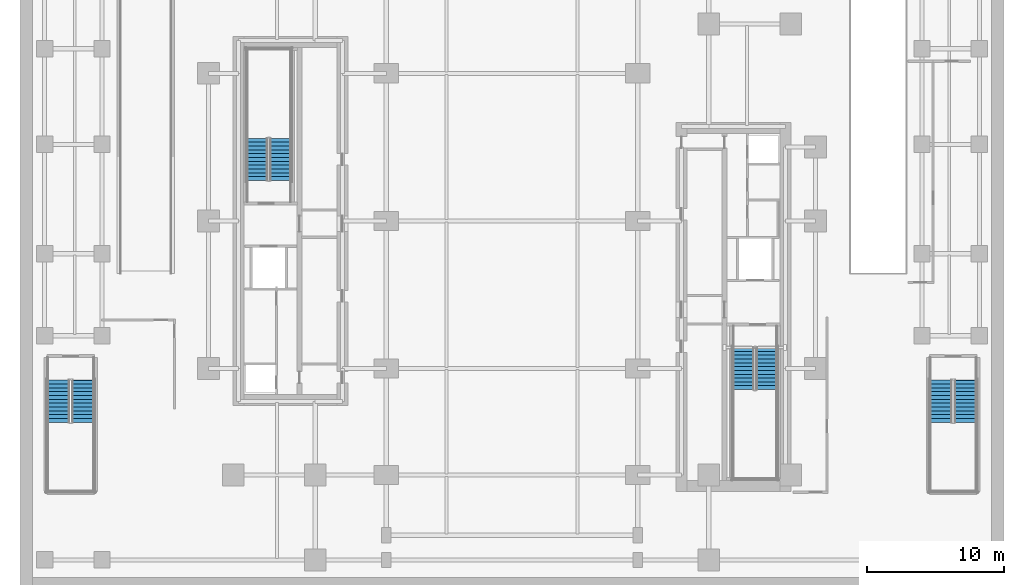
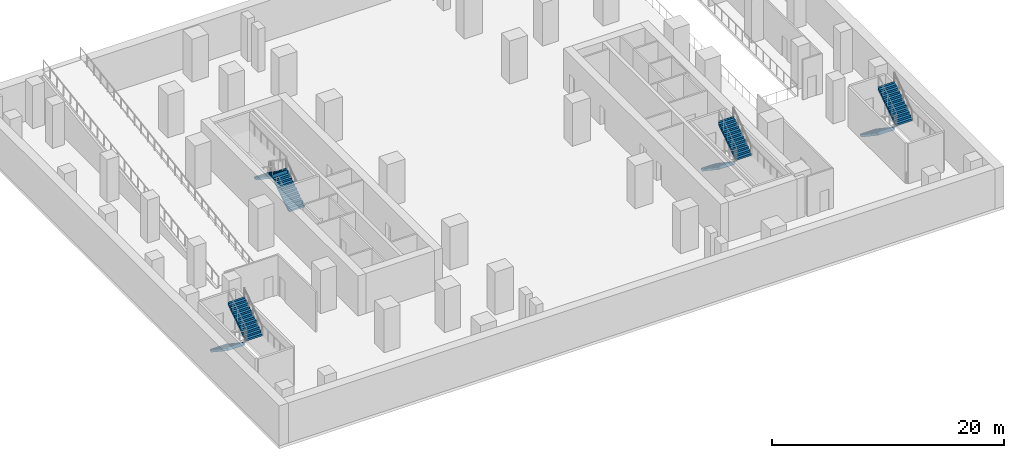
# One storey, part 9 of 14: 8 stair flights, 4 elements without a shape of their own.
"""IFC4 building model written with IfcOpenShell, lengths in metres."""

from ifc_helpers import new_model, si_unit, direction, frame, origin, place, context, subcontext, project, spatial, polyline, outline, extrude, material, layer, layer_set, type_object, element, aggregate, save


model = new_model("IFC4")

# Units and contexts
model_context = context("Model", 3, precision=1e-05, world=origin(), true_north=direction((0.0, 1.0)))
body_context = subcontext(model_context, "Body", "Model", "MODEL_VIEW")
ifc_project = project(units=[si_unit("LENGTHUNIT", "METRE"), si_unit("AREAUNIT", "SQUARE_METRE"), si_unit("VOLUMEUNIT", "CUBIC_METRE"), si_unit("PLANEANGLEUNIT", "RADIAN"), si_unit("MASSUNIT", "GRAM", prefix="KILO")], contexts=[model_context])

# Site, building, storey
site_placement = place(None, origin())
site = spatial("IfcSite", under=ifc_project, at=site_placement, CompositionType="ELEMENT")
building_placement = place(site_placement, origin())
building = spatial("IfcBuilding", under=site, at=building_placement, Name="Khairoan Windgate Tower", CompositionType="ELEMENT")
storey_placement = place(building_placement, frame((0.0, 0.0, -4.5)))
storey = spatial("IfcBuildingStorey", under=building, at=storey_placement, Name="B1", CompositionType="ELEMENT", Elevation=-4.5)

# Stair, stair flights
ifc_material_1 = material(Name="Concrete C40/50", Category="concrete")
stair_type_1 = type_object("IfcStairType", Name="Podium Exit Dog-Leg Stair ST-T2 1660mm", PredefinedType="HALF_TURN_STAIR", material=ifc_material_1)
stair_1_placement = place(storey_placement, origin())
stair_1 = element("IfcStair", 1, at=stair_1_placement, inside=storey, type_object=stair_type_1, Name="B1 Stair ST3", PredefinedType="HALF_TURN_STAIR")
ifc_material_2 = material(Name="Concrete C40/50", Category="concrete")
ifc_layer_1 = layer(ifc_material_2, 0.14990234375, Name="Concrete C40/50")
ifc_layer_set_1 = layer_set([ifc_layer_1], Name="Concrete C40/50")
stair_flight_type_1 = type_object("IfcStairFlightType", Name="Podium Stair Flight STF-1660", PredefinedType="STRAIGHT", material=ifc_layer_set_1)
stair_flight_1_placement = place(storey_placement, frame((31.3798828125, -11.659912109375, 0.0), z_axis=(0.0, 0.0, 1.0), x_axis=(0.0, -1.0, 0.0)))
stair_flight_1 = element("IfcStairFlight", 2, at=stair_flight_1_placement, type_object=stair_flight_type_1, Name="ST3 flight 1", NumberOfRisers=12, NumberOfTreads=11, PredefinedType="STRAIGHT", RiserHeight=0.1875, TreadLength=0.28, context=body_context, shape_type="SweptSolid", body=[
    extrude(outline(polyline([(-0.00390625, 0.0), (-0.00390625, 0.1875), (0.0, 0.1875), (0.280029296875, 0.1875), (0.280029296875, 0.375), (0.56005859375, 0.375), (0.56005859375, 0.5625), (0.840087890625, 0.5625), (0.840087890625, 0.75), (1.1201171875, 0.75), (1.1201171875, 0.9375), (1.39990234375, 0.9375), (1.39990234375, 1.125), (1.679931640625, 1.125), (1.679931640625, 1.3125), (1.9599609375, 1.3125), (1.9599609375, 1.5), (2.239990234375, 1.5), (2.239990234375, 1.6875), (2.52001953125, 1.6875), (2.52001953125, 1.875), (2.800048828125, 1.875), (2.800048828125, 2.0625), (3.080078125, 2.0625), (3.080078125, 2.25), (3.083984375, 2.25), (3.083984375, 1.882080078125), (0.26953125, 0.0), (-0.00390625, 0.0)])), frame((0.0, 0.830078125, 0.0), z_axis=(0.0, -1.0, 0.0), x_axis=(1.0, 0.0, 0.0)), (0.0, 0.0, 1.0), 1.659912109375),
])
stair_flight_2_placement = place(storey_placement, frame((33.18994140625, -14.739990234375, 2.25), z_axis=(0.0, 0.0, 1.0), x_axis=(0.0, 1.0, 0.0)))
stair_flight_2 = element("IfcStairFlight", 3, at=stair_flight_2_placement, type_object=stair_flight_type_1, Name="ST3 flight 2", NumberOfRisers=12, NumberOfTreads=11, PredefinedType="STRAIGHT", RiserHeight=0.1875, TreadLength=0.28, context=body_context, shape_type="SweptSolid", body=[
    extrude(outline(polyline([(-0.00390625, 0.0), (-0.00390625, 0.1875), (0.0, 0.1875), (0.280029296875, 0.1875), (0.280029296875, 0.375), (0.56005859375, 0.375), (0.56005859375, 0.5625), (0.840087890625, 0.5625), (0.840087890625, 0.75), (1.1201171875, 0.75), (1.1201171875, 0.9375), (1.39990234375, 0.9375), (1.39990234375, 1.125), (1.679931640625, 1.125), (1.679931640625, 1.3125), (1.9599609375, 1.3125), (1.9599609375, 1.5), (2.239990234375, 1.5), (2.239990234375, 1.6875), (2.52001953125, 1.6875), (2.52001953125, 1.875), (2.800048828125, 1.875), (2.800048828125, 2.0625), (3.080078125, 2.0625), (3.080078125, 2.25), (3.083984375, 2.25), (3.083984375, 1.882080078125), (0.26953125, 0.0), (-0.00390625, 0.0)])), frame((0.0, 0.830078125, 0.0), z_axis=(0.0, -1.0, 0.0), x_axis=(1.0, 0.0, 0.0)), (0.0, 0.0, 1.0), 1.659912109375),
])
aggregate(stair_1, [stair_flight_1, stair_flight_2])

stair_2_placement = place(storey_placement, origin())
stair_2 = element("IfcStair", 4, at=stair_2_placement, inside=storey, type_object=stair_type_1, Name="B1 Stair ST4", PredefinedType="HALF_TURN_STAIR")
stair_flight_3_placement = place(storey_placement, frame((-33.18994140625, -11.659912109375, 0.0), z_axis=(0.0, 0.0, 1.0), x_axis=(0.0, -1.0, 0.0)))
stair_flight_3 = element("IfcStairFlight", 5, at=stair_flight_3_placement, type_object=stair_flight_type_1, Name="ST4 flight 1", NumberOfRisers=12, NumberOfTreads=11, PredefinedType="STRAIGHT", RiserHeight=0.1875, TreadLength=0.28, context=body_context, shape_type="SweptSolid", body=[
    extrude(outline(polyline([(-0.00390625, 0.0), (-0.00390625, 0.1875), (0.0, 0.1875), (0.280029296875, 0.1875), (0.280029296875, 0.375), (0.56005859375, 0.375), (0.56005859375, 0.5625), (0.840087890625, 0.5625), (0.840087890625, 0.75), (1.1201171875, 0.75), (1.1201171875, 0.9375), (1.39990234375, 0.9375), (1.39990234375, 1.125), (1.679931640625, 1.125), (1.679931640625, 1.3125), (1.9599609375, 1.3125), (1.9599609375, 1.5), (2.239990234375, 1.5), (2.239990234375, 1.6875), (2.52001953125, 1.6875), (2.52001953125, 1.875), (2.800048828125, 1.875), (2.800048828125, 2.0625), (3.080078125, 2.0625), (3.080078125, 2.25), (3.083984375, 2.25), (3.083984375, 1.882080078125), (0.26953125, 0.0), (-0.00390625, 0.0)])), frame((0.0, 0.830078125, 0.0), z_axis=(0.0, -1.0, 0.0), x_axis=(1.0, 0.0, 0.0)), (0.0, 0.0, 1.0), 1.659912109375),
])
stair_flight_4_placement = place(storey_placement, frame((-31.3798828125, -14.739990234375, 2.25), z_axis=(0.0, 0.0, 1.0), x_axis=(0.0, 1.0, 0.0)))
stair_flight_4 = element("IfcStairFlight", 6, at=stair_flight_4_placement, type_object=stair_flight_type_1, Name="ST4 flight 2", NumberOfRisers=12, NumberOfTreads=11, PredefinedType="STRAIGHT", RiserHeight=0.1875, TreadLength=0.28, context=body_context, shape_type="SweptSolid", body=[
    extrude(outline(polyline([(-0.00390625, 0.0), (-0.00390625, 0.1875), (0.0, 0.1875), (0.280029296875, 0.1875), (0.280029296875, 0.375), (0.56005859375, 0.375), (0.56005859375, 0.5625), (0.840087890625, 0.5625), (0.840087890625, 0.75), (1.1201171875, 0.75), (1.1201171875, 0.9375), (1.39990234375, 0.9375), (1.39990234375, 1.125), (1.679931640625, 1.125), (1.679931640625, 1.3125), (1.9599609375, 1.3125), (1.9599609375, 1.5), (2.239990234375, 1.5), (2.239990234375, 1.6875), (2.52001953125, 1.6875), (2.52001953125, 1.875), (2.800048828125, 1.875), (2.800048828125, 2.0625), (3.080078125, 2.0625), (3.080078125, 2.25), (3.083984375, 2.25), (3.083984375, 1.882080078125), (0.26953125, 0.0), (-0.00390625, 0.0)])), frame((0.0, 0.830078125, 0.0), z_axis=(0.0, -1.0, 0.0), x_axis=(1.0, 0.0, 0.0)), (0.0, 0.0, 1.0), 1.659912109375),
])
aggregate(stair_2, [stair_flight_3, stair_flight_4])

ifc_material_3 = material(Name="Concrete C40/50", Category="concrete")
stair_type_2 = type_object("IfcStairType", Name="Tower Core Dog-Leg Stair ST-T1 1560mm", PredefinedType="HALF_TURN_STAIR", material=ifc_material_3)
stair_3_placement = place(storey_placement, origin())
stair_3 = element("IfcStair", 7, at=stair_3_placement, inside=storey, type_object=stair_type_2, Name="B1 Stair ST1", PredefinedType="HALF_TURN_STAIR")
ifc_material_4 = material(Name="Concrete C40/50", Category="concrete")
ifc_layer_2 = layer(ifc_material_4, 0.14990234375, Name="Concrete C40/50")
ifc_layer_set_2 = layer_set([ifc_layer_2], Name="Concrete C40/50")
stair_flight_type_2 = type_object("IfcStairFlightType", Name="Tower Core Stair Flight STF-1560", PredefinedType="STRAIGHT", material=ifc_layer_set_2)
stair_flight_5_placement = place(storey_placement, frame((16.929931640625, -9.260009765625, 0.0), z_axis=(0.0, 0.0, 1.0), x_axis=(0.0, -1.0, 0.0)))
stair_flight_5 = element("IfcStairFlight", 8, at=stair_flight_5_placement, type_object=stair_flight_type_2, Name="ST1 flight 1", NumberOfRisers=12, NumberOfTreads=11, PredefinedType="STRAIGHT", RiserHeight=0.1875, TreadLength=0.28, context=body_context, shape_type="SweptSolid", body=[
    extrude(outline(polyline([(-0.00390625, 0.0), (-0.00390625, 0.1875), (0.0, 0.1875), (0.280029296875, 0.1875), (0.280029296875, 0.375), (0.56005859375, 0.375), (0.56005859375, 0.5625), (0.840087890625, 0.5625), (0.840087890625, 0.75), (1.1201171875, 0.75), (1.1201171875, 0.9375), (1.39990234375, 0.9375), (1.39990234375, 1.125), (1.679931640625, 1.125), (1.679931640625, 1.3125), (1.9599609375, 1.3125), (1.9599609375, 1.5), (2.239990234375, 1.5), (2.239990234375, 1.6875), (2.52001953125, 1.6875), (2.52001953125, 1.875), (2.800048828125, 1.875), (2.800048828125, 2.0625), (3.080078125, 2.0625), (3.080078125, 2.25), (3.083984375, 2.25), (3.083984375, 1.882080078125), (0.26953125, 0.0), (-0.00390625, 0.0)])), frame((0.0, 0.780029296875, 0.0), z_axis=(0.0, -1.0, 0.0), x_axis=(1.0, 0.0, 0.0)), (0.0, 0.0, 1.0), 1.56005859375),
])
stair_flight_6_placement = place(storey_placement, frame((18.639892578125, -12.340087890625, 2.25), z_axis=(0.0, 0.0, 1.0), x_axis=(0.0, 1.0, 0.0)))
stair_flight_6 = element("IfcStairFlight", 9, at=stair_flight_6_placement, type_object=stair_flight_type_2, Name="ST1 flight 2", NumberOfRisers=12, NumberOfTreads=11, PredefinedType="STRAIGHT", RiserHeight=0.1875, TreadLength=0.28, context=body_context, shape_type="SweptSolid", body=[
    extrude(outline(polyline([(-0.00390625, 0.0), (-0.00390625, 0.1875), (0.0, 0.1875), (0.280029296875, 0.1875), (0.280029296875, 0.375), (0.56005859375, 0.375), (0.56005859375, 0.5625), (0.840087890625, 0.5625), (0.840087890625, 0.75), (1.1201171875, 0.75), (1.1201171875, 0.9375), (1.39990234375, 0.9375), (1.39990234375, 1.125), (1.679931640625, 1.125), (1.679931640625, 1.3125), (1.9599609375, 1.3125), (1.9599609375, 1.5), (2.239990234375, 1.5), (2.239990234375, 1.6875), (2.52001953125, 1.6875), (2.52001953125, 1.875), (2.800048828125, 1.875), (2.800048828125, 2.0625), (3.080078125, 2.0625), (3.080078125, 2.25), (3.083984375, 2.25), (3.083984375, 1.882080078125), (0.26953125, 0.0), (-0.00390625, 0.0)])), frame((0.0, 0.780029296875, 0.0), z_axis=(0.0, -1.0, 0.0), x_axis=(1.0, 0.0, 0.0)), (0.0, 0.0, 1.0), 1.56005859375),
])
aggregate(stair_3, [stair_flight_5, stair_flight_6])

stair_4_placement = place(storey_placement, origin())
stair_4 = element("IfcStair", 10, at=stair_4_placement, inside=storey, type_object=stair_type_2, Name="B1 Stair ST2", PredefinedType="HALF_TURN_STAIR")
stair_flight_7_placement = place(storey_placement, frame((-16.929931640625, 2.9599609375, 0.0), z_axis=(0.0, 0.0, 1.0), x_axis=(0.0, 1.0, 0.0)))
stair_flight_7 = element("IfcStairFlight", 11, at=stair_flight_7_placement, type_object=stair_flight_type_2, Name="ST2 flight 1", NumberOfRisers=12, NumberOfTreads=11, PredefinedType="STRAIGHT", RiserHeight=0.1875, TreadLength=0.28, context=body_context, shape_type="SweptSolid", body=[
    extrude(outline(polyline([(-0.00390625, 0.0), (-0.00390625, 0.1875), (0.0, 0.1875), (0.280029296875, 0.1875), (0.280029296875, 0.375), (0.56005859375, 0.375), (0.56005859375, 0.5625), (0.840087890625, 0.5625), (0.840087890625, 0.75), (1.1201171875, 0.75), (1.1201171875, 0.9375), (1.39990234375, 0.9375), (1.39990234375, 1.125), (1.679931640625, 1.125), (1.679931640625, 1.3125), (1.9599609375, 1.3125), (1.9599609375, 1.5), (2.239990234375, 1.5), (2.239990234375, 1.6875), (2.52001953125, 1.6875), (2.52001953125, 1.875), (2.800048828125, 1.875), (2.800048828125, 2.0625), (3.080078125, 2.0625), (3.080078125, 2.25), (3.083984375, 2.25), (3.083984375, 1.882080078125), (0.26953125, 0.0), (-0.00390625, 0.0)])), frame((0.0, 0.780029296875, 0.0), z_axis=(0.0, -1.0, 0.0), x_axis=(1.0, 0.0, 0.0)), (0.0, 0.0, 1.0), 1.56005859375),
])
stair_flight_8_placement = place(storey_placement, frame((-18.639892578125, 6.0400390625, 2.25), z_axis=(0.0, 0.0, 1.0), x_axis=(0.0, -1.0, 0.0)))
stair_flight_8 = element("IfcStairFlight", 12, at=stair_flight_8_placement, type_object=stair_flight_type_2, Name="ST2 flight 2", NumberOfRisers=12, NumberOfTreads=11, PredefinedType="STRAIGHT", RiserHeight=0.1875, TreadLength=0.28, context=body_context, shape_type="SweptSolid", body=[
    extrude(outline(polyline([(-0.00390625, 0.0), (-0.00390625, 0.1875), (0.0, 0.1875), (0.280029296875, 0.1875), (0.280029296875, 0.375), (0.56005859375, 0.375), (0.56005859375, 0.5625), (0.840087890625, 0.5625), (0.840087890625, 0.75), (1.1201171875, 0.75), (1.1201171875, 0.9375), (1.39990234375, 0.9375), (1.39990234375, 1.125), (1.679931640625, 1.125), (1.679931640625, 1.3125), (1.9599609375, 1.3125), (1.9599609375, 1.5), (2.239990234375, 1.5), (2.239990234375, 1.6875), (2.52001953125, 1.6875), (2.52001953125, 1.875), (2.800048828125, 1.875), (2.800048828125, 2.0625), (3.080078125, 2.0625), (3.080078125, 2.25), (3.083984375, 2.25), (3.083984375, 1.882080078125), (0.26953125, 0.0), (-0.00390625, 0.0)])), frame((0.0, 0.780029296875, 0.0), z_axis=(0.0, -1.0, 0.0), x_axis=(1.0, 0.0, 0.0)), (0.0, 0.0, 1.0), 1.56005859375),
])
aggregate(stair_4, [stair_flight_7, stair_flight_8])

save(model, "model.ifc")
